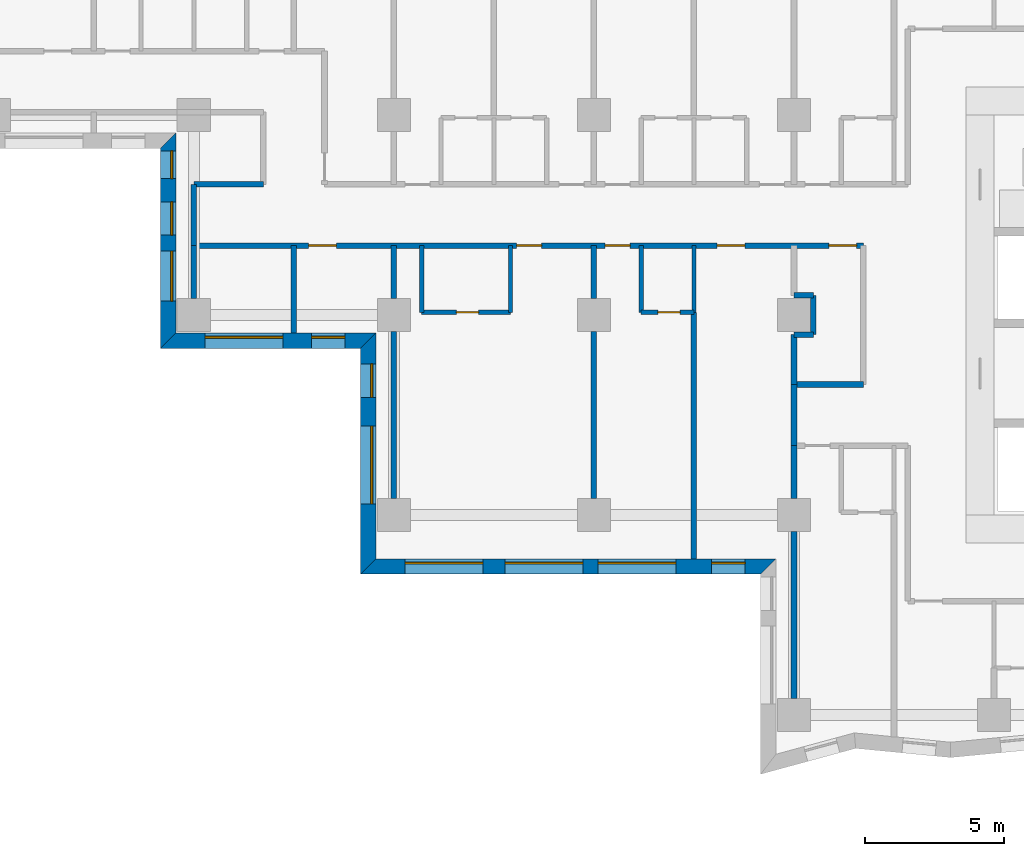
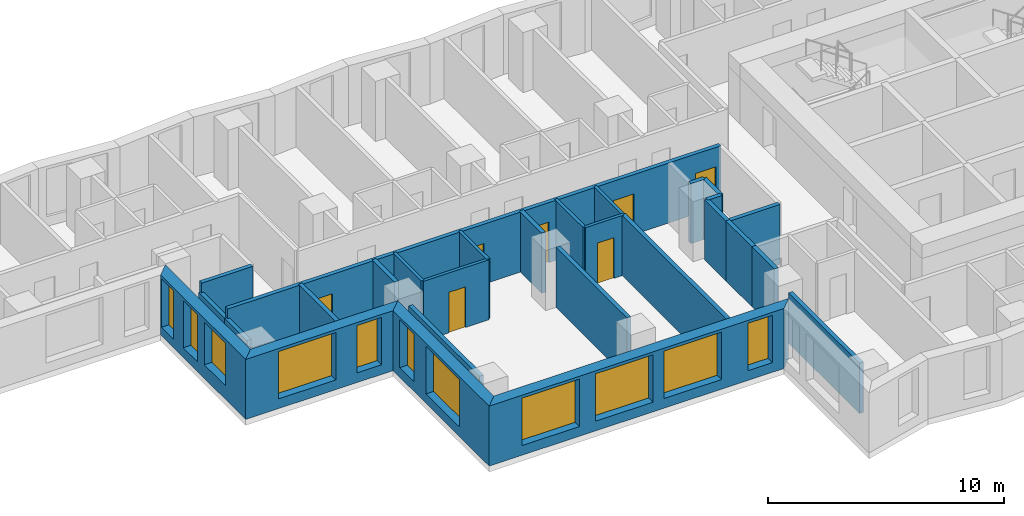
# One storey, part 3 of 13: 28 walls, 11 windows, 7 doors, 18 openings.
"""IFC4 building model written with IfcOpenShell, lengths in metres."""

from ifc_helpers import new_model, si_unit, direction, frame, frame_2d, origin, place, context, subcontext, project, spatial, polyline, rectangle, outline, extrude, material, layer, layer_set, type_object, element, fill, save


model = new_model("IFC4")

# Units and contexts
model_context = context("Model", 3, precision=1e-05, world=origin(), true_north=direction((0.0, 1.0)))
body_context = subcontext(model_context, "Body", "Model", "MODEL_VIEW")
ifc_project = project(units=[si_unit("LENGTHUNIT", "METRE"), si_unit("AREAUNIT", "SQUARE_METRE"), si_unit("VOLUMEUNIT", "CUBIC_METRE"), si_unit("PLANEANGLEUNIT", "RADIAN"), si_unit("MASSUNIT", "GRAM", prefix="KILO")], contexts=[model_context])

# Site, building, storey
site_placement = place(None, origin())
site = spatial("IfcSite", under=ifc_project, at=site_placement, CompositionType="ELEMENT")
building_placement = place(site_placement, origin())
building = spatial("IfcBuilding", under=site, at=building_placement, Name="Windrow Commons", CompositionType="ELEMENT")
storey_placement = place(building_placement, frame((0.0, 0.0, 30.4)))
storey = spatial("IfcBuildingStorey", under=building, at=storey_placement, Name="L07", CompositionType="ELEMENT", Elevation=30.4)

# Wall, openings, windows
ifc_material_1 = material(Name="Brick masonry, red clay brick", Category="masonry")
ifc_layer_1 = layer(ifc_material_1, 0.55)
ifc_layer_set_1 = layer_set([ifc_layer_1], Name="Brick facade wall 550")
wall_type_1 = type_object("IfcWallType", Name="Brick facade wall 550", PredefinedType="SOLIDWALL", material=ifc_layer_set_1)
wall_1_placement = place(storey_placement, frame((27.875, 63.875, 0.0), z_axis=(0.0, 0.0, 1.0), x_axis=(0.0, -1.0, 0.0)))
wall_1 = element("IfcWall", 1, at=wall_1_placement, inside=storey, type_object=wall_type_1, Name="Brick facade wall L07 41", PredefinedType="SOLIDWALL", context=body_context, shape_type="SweptSolid", body=[
    extrude(outline(polyline([(0.275, -0.275), (7.475, -0.275), (6.925, 0.275), (-0.275, 0.275), (0.275, -0.275)])), origin(), (0.0, 0.0, 1.0), 3.1),
])
opening_1_placement = place(wall_1_placement, frame((3.975, 0.0, 0.7)))
opening_1 = element("IfcOpeningElement", 2, at=opening_1_placement, cuts=wall_1, Name="Opening W6", PredefinedType="OPENING", context=body_context, shape_type="SweptSolid", body=[
    extrude(rectangle(XDim=1.8, YDim=2.2, at=frame_2d((0.9, 1.1))), frame((0.0, 0.285, 0.0), z_axis=(0.0, -1.0, 0.0), x_axis=(1.0, 0.0, 0.0)), (0.0, 0.0, 1.0), 0.57),
])
opening_2_placement = place(wall_1_placement, frame((0.3625, 0.0, 0.45)))
opening_2 = element("IfcOpeningElement", 3, at=opening_2_placement, cuts=wall_1, Name="Opening W1S", PredefinedType="OPENING", context=body_context, shape_type="SweptSolid", body=[
    extrude(rectangle(XDim=1.0, YDim=2.5, at=frame_2d((0.5, 1.25))), frame((0.0, 0.285, 0.0), z_axis=(0.0, -1.0, 0.0), x_axis=(1.0, 0.0, 0.0)), (0.0, 0.0, 1.0), 0.57),
])
opening_3_placement = place(wall_1_placement, frame((2.2, 0.0, 0.5)))
opening_3 = element("IfcOpeningElement", 4, at=opening_3_placement, cuts=wall_1, Name="Opening W7D", PredefinedType="OPENING", context=body_context, shape_type="SweptSolid", body=[
    extrude(rectangle(XDim=1.2, YDim=2.45, at=frame_2d((0.6, 1.225))), frame((0.0, 0.285, 0.0), z_axis=(0.0, -1.0, 0.0), x_axis=(1.0, 0.0, 0.0)), (0.0, 0.0, 1.0), 0.57),
])
ifc_material_2 = material(Name="Clear float glass in anodised aluminium frame", Category="aluminium")
window_type_1 = type_object("IfcWindowType", Name="Window W1S slit 1000x2500", PartitioningType="SINGLE_PANEL", PredefinedType="WINDOW", material=ifc_material_2)
window_1_placement = place(opening_2_placement, origin())
window_1 = element("IfcWindow", 5, at=window_1_placement, inside=storey, type_object=window_type_1, Name="Window L07 41.2A", OverallHeight=2.5, OverallWidth=1.0, PartitioningType="SINGLE_PANEL", PredefinedType="WINDOW", context=body_context, shape_type="SweptSolid", body=[
    extrude(rectangle(XDim=1.0, YDim=2.5, at=frame_2d((0.5, 1.25))), frame((0.0, 0.155, 0.0), z_axis=(0.0, -1.0, 0.0), x_axis=(1.0, 0.0, 0.0)), (0.0, 0.0, 1.0), 0.06),
])
fill(opening_2, window_1)
ifc_material_3 = material(Name="Clear float glass in anodised aluminium frame", Category="aluminium")
window_type_2 = type_object("IfcWindowType", Name="Window W6 crown 1800x2200", PartitioningType="SINGLE_PANEL", PredefinedType="WINDOW", material=ifc_material_3)
window_2_placement = place(opening_1_placement, origin())
window_2 = element("IfcWindow", 6, at=window_2_placement, inside=storey, type_object=window_type_2, Name="Window L07 41.1A", OverallHeight=2.2, OverallWidth=1.8, PartitioningType="SINGLE_PANEL", PredefinedType="WINDOW", context=body_context, shape_type="SweptSolid", body=[
    extrude(rectangle(XDim=1.8, YDim=2.2, at=frame_2d((0.9, 1.1))), frame((0.0, 0.155, 0.0), z_axis=(0.0, -1.0, 0.0), x_axis=(1.0, 0.0, 0.0)), (0.0, 0.0, 1.0), 0.06),
])
fill(opening_1, window_2)
ifc_material_4 = material(Name="Clear float glass in anodised aluminium frame", Category="aluminium")
window_type_3 = type_object("IfcWindowType", Name="Window W7 notch 1200x2450", PartitioningType="SINGLE_PANEL", PredefinedType="WINDOW", material=ifc_material_4)
window_3_placement = place(opening_3_placement, origin())
window_3 = element("IfcWindow", 7, at=window_3_placement, inside=storey, type_object=window_type_3, Name="Window L07 41.2B", OverallHeight=2.45, OverallWidth=1.2, PartitioningType="SINGLE_PANEL", PredefinedType="WINDOW", context=body_context, shape_type="SweptSolid", body=[
    extrude(rectangle(XDim=1.2, YDim=2.45, at=frame_2d((0.6, 1.225))), frame((0.0, 0.155, 0.0), z_axis=(0.0, -1.0, 0.0), x_axis=(1.0, 0.0, 0.0)), (0.0, 0.0, 1.0), 0.06),
])
fill(opening_3, window_3)

wall_2_placement = place(storey_placement, frame((27.875, 56.675, 0.0), z_axis=(0.0, 0.0, 1.0), x_axis=(1.0, 0.0, 0.0)))
wall_2 = element("IfcWall", 8, at=wall_2_placement, inside=storey, type_object=wall_type_1, Name="Brick facade wall L07 42", PredefinedType="SOLIDWALL", context=body_context, shape_type="SweptSolid", body=[
    extrude(outline(polyline([(-0.275, -0.275), (6.925, -0.275), (7.475, 0.275), (0.275, 0.275), (-0.275, -0.275)])), origin(), (0.0, 0.0, 1.0), 3.1),
])
opening_4_placement = place(wall_2_placement, frame((1.325, 0.0, 0.5)))
opening_4 = element("IfcOpeningElement", 9, at=opening_4_placement, cuts=wall_2, Name="Opening W1T", PredefinedType="OPENING", context=body_context, shape_type="SweptSolid", body=[
    extrude(rectangle(XDim=2.8, YDim=2.45, at=frame_2d((1.4, 1.225))), frame((0.0, 0.285, 0.0), z_axis=(0.0, -1.0, 0.0), x_axis=(1.0, 0.0, 0.0)), (0.0, 0.0, 1.0), 0.57),
])
opening_5_placement = place(wall_2_placement, frame((5.1625, 0.0, 0.5)))
opening_5 = element("IfcOpeningElement", 10, at=opening_5_placement, cuts=wall_2, Name="Opening W7D", PredefinedType="OPENING", context=body_context, shape_type="SweptSolid", body=[
    extrude(rectangle(XDim=1.2, YDim=2.45, at=frame_2d((0.6, 1.225))), frame((0.0, 0.285, 0.0), z_axis=(0.0, -1.0, 0.0), x_axis=(1.0, 0.0, 0.0)), (0.0, 0.0, 1.0), 0.57),
])
ifc_material_5 = material(Name="Clear float glass in anodised aluminium frame", Category="aluminium")
window_type_4 = type_object("IfcWindowType", Name="Window W1T bedroom 2800x2450", PartitioningType="SINGLE_PANEL", PredefinedType="WINDOW", material=ifc_material_5)
window_4_placement = place(opening_4_placement, origin())
window_4 = element("IfcWindow", 11, at=window_4_placement, inside=storey, type_object=window_type_4, Name="Window L07 42.1", OverallHeight=2.45, OverallWidth=2.8, PartitioningType="SINGLE_PANEL", PredefinedType="WINDOW", context=body_context, shape_type="SweptSolid", body=[
    extrude(rectangle(XDim=2.8, YDim=2.45, at=frame_2d((1.4, 1.225))), frame((0.0, 0.155, 0.0), z_axis=(0.0, -1.0, 0.0), x_axis=(1.0, 0.0, 0.0)), (0.0, 0.0, 1.0), 0.06),
])
fill(opening_4, window_4)
window_5_placement = place(opening_5_placement, origin())
window_5 = element("IfcWindow", 12, at=window_5_placement, inside=storey, type_object=window_type_3, Name="Window L07 42.2", OverallHeight=2.45, OverallWidth=1.2, PartitioningType="SINGLE_PANEL", PredefinedType="WINDOW", context=body_context, shape_type="SweptSolid", body=[
    extrude(rectangle(XDim=1.2, YDim=2.45, at=frame_2d((0.6, 1.225))), frame((0.0, 0.155, 0.0), z_axis=(0.0, -1.0, 0.0), x_axis=(1.0, 0.0, 0.0)), (0.0, 0.0, 1.0), 0.06),
])
fill(opening_5, window_5)

wall_3_placement = place(storey_placement, frame((35.075, 56.675, 0.0), z_axis=(0.0, 0.0, 1.0), x_axis=(0.0, -1.0, 0.0)))
wall_3 = element("IfcWall", 13, at=wall_3_placement, inside=storey, type_object=wall_type_1, Name="Brick facade wall L07 43", PredefinedType="SOLIDWALL", context=body_context, shape_type="SweptSolid", body=[
    extrude(outline(polyline([(0.275, -0.275), (8.405, -0.275), (7.855, 0.275), (-0.275, 0.275), (0.275, -0.275)])), origin(), (0.0, 0.0, 1.0), 3.1),
])
opening_6_placement = place(wall_3_placement, frame((3.075, 0.0, 0.5)))
opening_6 = element("IfcOpeningElement", 14, at=opening_6_placement, cuts=wall_3, Name="Opening W1T", PredefinedType="OPENING", context=body_context, shape_type="SweptSolid", body=[
    extrude(rectangle(XDim=2.8, YDim=2.45, at=frame_2d((1.4, 1.225))), frame((0.0, 0.285, 0.0), z_axis=(0.0, -1.0, 0.0), x_axis=(1.0, 0.0, 0.0)), (0.0, 0.0, 1.0), 0.57),
])
opening_7_placement = place(wall_3_placement, frame((0.8375, 0.0, 0.5)))
opening_7 = element("IfcOpeningElement", 15, at=opening_7_placement, cuts=wall_3, Name="Opening W7D", PredefinedType="OPENING", context=body_context, shape_type="SweptSolid", body=[
    extrude(rectangle(XDim=1.2, YDim=2.45, at=frame_2d((0.6, 1.225))), frame((0.0, 0.285, 0.0), z_axis=(0.0, -1.0, 0.0), x_axis=(1.0, 0.0, 0.0)), (0.0, 0.0, 1.0), 0.57),
])
window_6_placement = place(opening_6_placement, origin())
window_6 = element("IfcWindow", 16, at=window_6_placement, inside=storey, type_object=window_type_4, Name="Window L07 43.1", OverallHeight=2.45, OverallWidth=2.8, PartitioningType="SINGLE_PANEL", PredefinedType="WINDOW", context=body_context, shape_type="SweptSolid", body=[
    extrude(rectangle(XDim=2.8, YDim=2.45, at=frame_2d((1.4, 1.225))), frame((0.0, 0.155, 0.0), z_axis=(0.0, -1.0, 0.0), x_axis=(1.0, 0.0, 0.0)), (0.0, 0.0, 1.0), 0.06),
])
fill(opening_6, window_6)
window_7_placement = place(opening_7_placement, origin())
window_7 = element("IfcWindow", 17, at=window_7_placement, inside=storey, type_object=window_type_3, Name="Window L07 43.2", OverallHeight=2.45, OverallWidth=1.2, PartitioningType="SINGLE_PANEL", PredefinedType="WINDOW", context=body_context, shape_type="SweptSolid", body=[
    extrude(rectangle(XDim=1.2, YDim=2.45, at=frame_2d((0.6, 1.225))), frame((0.0, 0.155, 0.0), z_axis=(0.0, -1.0, 0.0), x_axis=(1.0, 0.0, 0.0)), (0.0, 0.0, 1.0), 0.06),
])
fill(opening_7, window_7)

wall_4_placement = place(storey_placement, frame((35.075, 48.545, 0.0), z_axis=(0.0, 0.0, 1.0), x_axis=(1.0, 0.0, 0.0)))
wall_4 = element("IfcWall", 18, at=wall_4_placement, inside=storey, type_object=wall_type_1, Name="Brick facade wall L07 44", PredefinedType="SOLIDWALL", context=body_context, shape_type="SweptSolid", body=[
    extrude(outline(polyline([(-0.275, -0.275), (14.125, -0.275), (14.675, 0.275), (0.275, 0.275), (-0.275, -0.275)])), origin(), (0.0, 0.0, 1.0), 3.1),
])
opening_8_placement = place(wall_4_placement, frame((1.325, 0.0, 0.5)))
opening_8 = element("IfcOpeningElement", 19, at=opening_8_placement, cuts=wall_4, Name="Opening W1T", PredefinedType="OPENING", context=body_context, shape_type="SweptSolid", body=[
    extrude(rectangle(XDim=2.8, YDim=2.45, at=frame_2d((1.4, 1.225))), frame((0.0, 0.285, 0.0), z_axis=(0.0, -1.0, 0.0), x_axis=(1.0, 0.0, 0.0)), (0.0, 0.0, 1.0), 0.57),
])
opening_9_placement = place(wall_4_placement, frame((4.925, 0.0, 0.5)))
opening_9 = element("IfcOpeningElement", 20, at=opening_9_placement, cuts=wall_4, Name="Opening W1T", PredefinedType="OPENING", context=body_context, shape_type="SweptSolid", body=[
    extrude(rectangle(XDim=2.8, YDim=2.45, at=frame_2d((1.4, 1.225))), frame((0.0, 0.285, 0.0), z_axis=(0.0, -1.0, 0.0), x_axis=(1.0, 0.0, 0.0)), (0.0, 0.0, 1.0), 0.57),
])
opening_10_placement = place(wall_4_placement, frame((8.275, 0.0, 0.5)))
opening_10 = element("IfcOpeningElement", 21, at=opening_10_placement, cuts=wall_4, Name="Opening W1T", PredefinedType="OPENING", context=body_context, shape_type="SweptSolid", body=[
    extrude(rectangle(XDim=2.8, YDim=2.45, at=frame_2d((1.4, 1.225))), frame((0.0, 0.285, 0.0), z_axis=(0.0, -1.0, 0.0), x_axis=(1.0, 0.0, 0.0)), (0.0, 0.0, 1.0), 0.57),
])
opening_11_placement = place(wall_4_placement, frame((12.3625, 0.0, 0.5)))
opening_11 = element("IfcOpeningElement", 22, at=opening_11_placement, cuts=wall_4, Name="Opening W7D", PredefinedType="OPENING", context=body_context, shape_type="SweptSolid", body=[
    extrude(rectangle(XDim=1.2, YDim=2.45, at=frame_2d((0.6, 1.225))), frame((0.0, 0.285, 0.0), z_axis=(0.0, -1.0, 0.0), x_axis=(1.0, 0.0, 0.0)), (0.0, 0.0, 1.0), 0.57),
])
window_8_placement = place(opening_8_placement, origin())
window_8 = element("IfcWindow", 23, at=window_8_placement, inside=storey, type_object=window_type_4, Name="Window L07 44.1", OverallHeight=2.45, OverallWidth=2.8, PartitioningType="SINGLE_PANEL", PredefinedType="WINDOW", context=body_context, shape_type="SweptSolid", body=[
    extrude(rectangle(XDim=2.8, YDim=2.45, at=frame_2d((1.4, 1.225))), frame((0.0, 0.155, 0.0), z_axis=(0.0, -1.0, 0.0), x_axis=(1.0, 0.0, 0.0)), (0.0, 0.0, 1.0), 0.06),
])
fill(opening_8, window_8)
window_9_placement = place(opening_9_placement, origin())
window_9 = element("IfcWindow", 24, at=window_9_placement, inside=storey, type_object=window_type_4, Name="Window L07 44.2", OverallHeight=2.45, OverallWidth=2.8, PartitioningType="SINGLE_PANEL", PredefinedType="WINDOW", context=body_context, shape_type="SweptSolid", body=[
    extrude(rectangle(XDim=2.8, YDim=2.45, at=frame_2d((1.4, 1.225))), frame((0.0, 0.155, 0.0), z_axis=(0.0, -1.0, 0.0), x_axis=(1.0, 0.0, 0.0)), (0.0, 0.0, 1.0), 0.06),
])
fill(opening_9, window_9)
window_10_placement = place(opening_10_placement, origin())
window_10 = element("IfcWindow", 25, at=window_10_placement, inside=storey, type_object=window_type_4, Name="Window L07 44.3", OverallHeight=2.45, OverallWidth=2.8, PartitioningType="SINGLE_PANEL", PredefinedType="WINDOW", context=body_context, shape_type="SweptSolid", body=[
    extrude(rectangle(XDim=2.8, YDim=2.45, at=frame_2d((1.4, 1.225))), frame((0.0, 0.155, 0.0), z_axis=(0.0, -1.0, 0.0), x_axis=(1.0, 0.0, 0.0)), (0.0, 0.0, 1.0), 0.06),
])
fill(opening_10, window_10)
window_11_placement = place(opening_11_placement, origin())
window_11 = element("IfcWindow", 26, at=window_11_placement, inside=storey, type_object=window_type_3, Name="Window L07 44.4", OverallHeight=2.45, OverallWidth=1.2, PartitioningType="SINGLE_PANEL", PredefinedType="WINDOW", context=body_context, shape_type="SweptSolid", body=[
    extrude(rectangle(XDim=1.2, YDim=2.45, at=frame_2d((0.6, 1.225))), frame((0.0, 0.155, 0.0), z_axis=(0.0, -1.0, 0.0), x_axis=(1.0, 0.0, 0.0)), (0.0, 0.0, 1.0), 0.06),
])
fill(opening_11, window_11)

# Wall, openings, doors
ifc_material_6 = material(Name="Blockwork partition", Category="masonry")
ifc_layer_2 = layer(ifc_material_6, 0.2)
ifc_layer_set_2 = layer_set([ifc_layer_2], Name="IW-CORRIDOR-200")
wall_type_2 = type_object("IfcWallType", Name="IW-CORRIDOR-200", PredefinedType="PARTITIONING", material=ifc_layer_set_2)
wall_5_placement = place(storey_placement, frame((28.8, 60.1, 0.0), z_axis=(0.0, 0.0, 1.0), x_axis=(1.0, 0.0, 0.0)))
wall_5 = element("IfcWall", 27, at=wall_5_placement, inside=storey, type_object=wall_type_2, Name="W-L07-W000", PredefinedType="PARTITIONING", context=body_context, shape_type="SweptSolid", body=[
    extrude(rectangle(XDim=24.1, YDim=0.2, at=frame_2d((12.05, 0.0))), origin(), (0.0, 0.0, 1.0), 3.1),
])
opening_12_placement = place(wall_5_placement, frame((4.125, 0.0, 0.0)))
opening_12 = element("IfcOpeningElement", 28, at=opening_12_placement, cuts=wall_5, Name="Opening D310F", PredefinedType="OPENING", context=body_context, shape_type="SweptSolid", body=[
    extrude(rectangle(XDim=1.0, YDim=2.1, at=frame_2d((0.5, 1.05))), frame((0.0, 0.11, 0.0), z_axis=(0.0, -1.0, 0.0), x_axis=(1.0, 0.0, 0.0)), (0.0, 0.0, 1.0), 0.22),
])
opening_13_placement = place(wall_5_placement, frame((11.62, 0.0, 0.0)))
opening_13 = element("IfcOpeningElement", 29, at=opening_13_placement, cuts=wall_5, Name="Opening D109F", PredefinedType="OPENING", context=body_context, shape_type="SweptSolid", body=[
    extrude(rectangle(XDim=0.9, YDim=2.1, at=frame_2d((0.45, 1.05))), frame((0.0, 0.11, 0.0), z_axis=(0.0, -1.0, 0.0), x_axis=(1.0, 0.0, 0.0)), (0.0, 0.0, 1.0), 0.22),
])
opening_14_placement = place(wall_5_placement, frame((14.8, 0.0, 0.0)))
opening_14 = element("IfcOpeningElement", 30, at=opening_14_placement, cuts=wall_5, Name="Opening D109S", PredefinedType="OPENING", context=body_context, shape_type="SweptSolid", body=[
    extrude(rectangle(XDim=0.9, YDim=2.1, at=frame_2d((0.45, 1.05))), frame((0.0, 0.11, 0.0), z_axis=(0.0, -1.0, 0.0), x_axis=(1.0, 0.0, 0.0)), (0.0, 0.0, 1.0), 0.22),
])
opening_15_placement = place(wall_5_placement, frame((18.835, 0.0, 0.0)))
opening_15 = element("IfcOpeningElement", 31, at=opening_15_placement, cuts=wall_5, Name="Opening D310F", PredefinedType="OPENING", context=body_context, shape_type="SweptSolid", body=[
    extrude(rectangle(XDim=1.0, YDim=2.1, at=frame_2d((0.5, 1.05))), frame((0.0, 0.11, 0.0), z_axis=(0.0, -1.0, 0.0), x_axis=(1.0, 0.0, 0.0)), (0.0, 0.0, 1.0), 0.22),
])
opening_16_placement = place(wall_5_placement, frame((22.8544, 0.0, 0.0)))
opening_16 = element("IfcOpeningElement", 32, at=opening_16_placement, cuts=wall_5, Name="Opening D410F", PredefinedType="OPENING", context=body_context, shape_type="SweptSolid", body=[
    extrude(rectangle(XDim=1.0, YDim=2.1, at=frame_2d((0.5, 1.05))), frame((0.0, 0.11, 0.0), z_axis=(0.0, -1.0, 0.0), x_axis=(1.0, 0.0, 0.0)), (0.0, 0.0, 1.0), 0.22),
])
ifc_material_7 = material(Name="Timber door leaf", Category="wood")
door_type_1 = type_object("IfcDoorType", Name="DT-AMENITY-1000", OperationType="SINGLE_SWING_LEFT", PredefinedType="DOOR", material=ifc_material_7)
door_1_placement = place(opening_12_placement, origin())
door_1 = element("IfcDoor", 33, at=door_1_placement, inside=storey, type_object=door_type_1, Name="D-L07-D008", OperationType="SINGLE_SWING_RIGHT", OverallHeight=2.1, OverallWidth=1.0, PredefinedType="DOOR", context=body_context, shape_type="SweptSolid", body=[
    extrude(rectangle(XDim=1.0, YDim=2.1, at=frame_2d((0.5, 1.05))), frame((0.0, 0.025, 0.0), z_axis=(0.0, -1.0, 0.0), x_axis=(1.0, 0.0, 0.0)), (0.0, 0.0, 1.0), 0.05),
])
fill(opening_12, door_1)
door_2_placement = place(opening_15_placement, origin())
door_2 = element("IfcDoor", 34, at=door_2_placement, inside=storey, type_object=door_type_1, Name="D-L07-D026", OperationType="SINGLE_SWING_RIGHT", OverallHeight=2.1, OverallWidth=1.0, PredefinedType="DOOR", context=body_context, shape_type="SweptSolid", body=[
    extrude(rectangle(XDim=1.0, YDim=2.1, at=frame_2d((0.5, 1.05))), frame((0.0, 0.025, 0.0), z_axis=(0.0, -1.0, 0.0), x_axis=(1.0, 0.0, 0.0)), (0.0, 0.0, 1.0), 0.05),
])
fill(opening_15, door_2)
ifc_material_8 = material(Name="Timber door leaf", Category="wood")
door_type_2 = type_object("IfcDoorType", Name="DT-BEDROOM-900", OperationType="SINGLE_SWING_LEFT", PredefinedType="DOOR", material=ifc_material_8)
door_3_placement = place(opening_13_placement, origin())
door_3 = element("IfcDoor", 35, at=door_3_placement, inside=storey, type_object=door_type_2, Name="D-L07-D009", OperationType="SINGLE_SWING_LEFT", OverallHeight=2.1, OverallWidth=0.9, PredefinedType="DOOR", context=body_context, shape_type="SweptSolid", body=[
    extrude(rectangle(XDim=0.9, YDim=2.1, at=frame_2d((0.45, 1.05))), frame((0.0, 0.025, 0.0), z_axis=(0.0, -1.0, 0.0), x_axis=(1.0, 0.0, 0.0)), (0.0, 0.0, 1.0), 0.05),
])
fill(opening_13, door_3)
door_4_placement = place(opening_14_placement, origin())
door_4 = element("IfcDoor", 36, at=door_4_placement, inside=storey, type_object=door_type_2, Name="D-L07-D011", OperationType="SINGLE_SWING_LEFT", OverallHeight=2.1, OverallWidth=0.9, PredefinedType="DOOR", context=body_context, shape_type="SweptSolid", body=[
    extrude(rectangle(XDim=0.9, YDim=2.1, at=frame_2d((0.45, 1.05))), frame((0.0, 0.025, 0.0), z_axis=(0.0, -1.0, 0.0), x_axis=(1.0, 0.0, 0.0)), (0.0, 0.0, 1.0), 0.05),
])
fill(opening_14, door_4)
ifc_material_9 = material(Name="Timber door leaf", Category="wood")
door_type_3 = type_object("IfcDoorType", Name="DT-SERVICE-1000", OperationType="SINGLE_SWING_LEFT", PredefinedType="DOOR", material=ifc_material_9)
door_5_placement = place(opening_16_placement, origin())
door_5 = element("IfcDoor", 37, at=door_5_placement, inside=storey, type_object=door_type_3, Name="D-L07-D027", OperationType="SINGLE_SWING_LEFT", OverallHeight=2.1, OverallWidth=1.0, PredefinedType="DOOR", context=body_context, shape_type="SweptSolid", body=[
    extrude(rectangle(XDim=1.0, YDim=2.1, at=frame_2d((0.5, 1.05))), frame((0.0, 0.025, 0.0), z_axis=(0.0, -1.0, 0.0), x_axis=(1.0, 0.0, 0.0)), (0.0, 0.0, 1.0), 0.05),
])
fill(opening_16, door_5)

# Walls
wall_6_placement = place(storey_placement, frame((50.4, 55.1, 0.0), z_axis=(0.0, 0.0, 1.0), x_axis=(1.0, 0.0, 0.0)))
element("IfcWall", 38, at=wall_6_placement, inside=storey, type_object=wall_type_2, Name="W-L07-W075", PredefinedType="PARTITIONING", context=body_context, shape_type="SweptSolid", body=[
    extrude(rectangle(XDim=2.5, YDim=0.2, at=frame_2d((1.25, 0.0))), origin(), (0.0, 0.0, 1.0), 3.1),
])
wall_7_placement = place(storey_placement, frame((28.802, 62.3, 0.0), z_axis=(0.0, 0.0, 1.0), x_axis=(1.0, 0.0, 0.0)))
element("IfcWall", 39, at=wall_7_placement, inside=storey, type_object=wall_type_2, Name="W-L07-W076", PredefinedType="PARTITIONING", context=body_context, shape_type="SweptSolid", body=[
    extrude(rectangle(XDim=2.498, YDim=0.2, at=frame_2d((1.249, 0.0))), origin(), (0.0, 0.0, 1.0), 3.1),
])
wall_8_placement = place(storey_placement, frame((50.4, 52.9, 0.0), z_axis=(0.0, 0.0, 1.0), x_axis=(0.0, 1.0, 0.0)))
element("IfcWall", 40, at=wall_8_placement, inside=storey, type_object=wall_type_2, Name="W-L07-W128", PredefinedType="PARTITIONING", context=body_context, shape_type="SweptSolid", body=[
    extrude(rectangle(XDim=2.2, YDim=0.2, at=frame_2d((1.1, 0.0))), origin(), (0.0, 0.0, 1.0), 3.1),
])
wall_9_placement = place(storey_placement, frame((28.8, 60.1, 0.0), z_axis=(0.0, 0.0, 1.0), x_axis=(0.0, 1.0, 0.0)))
element("IfcWall", 41, at=wall_9_placement, inside=storey, type_object=wall_type_2, Name="W-L07-W129", PredefinedType="PARTITIONING", context=body_context, shape_type="SweptSolid", body=[
    extrude(rectangle(XDim=2.2, YDim=0.2, at=frame_2d((1.1, 0.0))), origin(), (0.0, 0.0, 1.0), 2.6),
])

# Wall, opening, door
ifc_material_10 = material(Name="Blockwork partition", Category="masonry")
ifc_layer_3 = layer(ifc_material_10, 0.15)
ifc_layer_set_3 = layer_set([ifc_layer_3], Name="IW-ENSUITE-150")
wall_type_3 = type_object("IfcWallType", Name="IW-ENSUITE-150", PredefinedType="PARTITIONING", material=ifc_layer_set_3)
wall_10_placement = place(storey_placement, frame((37.0, 57.7, 0.0), z_axis=(0.0, 0.0, 1.0), x_axis=(1.0, 0.0, 0.0)))
wall_10 = element("IfcWall", 42, at=wall_10_placement, inside=storey, type_object=wall_type_3, Name="W-L07-W067", PredefinedType="PARTITIONING", context=body_context, shape_type="SweptSolid", body=[
    extrude(rectangle(XDim=3.2, YDim=0.15, at=frame_2d((1.6, 0.0))), origin(), (0.0, 0.0, 1.0), 3.1),
])
opening_17_placement = place(wall_10_placement, frame((1.246, 0.0, 0.0)))
opening_17 = element("IfcOpeningElement", 43, at=opening_17_placement, cuts=wall_10, Name="Opening D208N", PredefinedType="OPENING", context=body_context, shape_type="SweptSolid", body=[
    extrude(rectangle(XDim=0.8, YDim=2.1, at=frame_2d((0.4, 1.05))), frame((0.0, 0.085, 0.0), z_axis=(0.0, -1.0, 0.0), x_axis=(1.0, 0.0, 0.0)), (0.0, 0.0, 1.0), 0.17),
])
ifc_material_11 = material(Name="Timber door leaf", Category="wood")
door_type_4 = type_object("IfcDoorType", Name="DT-ENSUITE-800", OperationType="SINGLE_SWING_LEFT", PredefinedType="DOOR", material=ifc_material_11)
door_6_placement = place(opening_17_placement, origin())
door_6 = element("IfcDoor", 44, at=door_6_placement, inside=storey, type_object=door_type_4, Name="D-L07-D010", OperationType="SINGLE_SWING_RIGHT", OverallHeight=2.1, OverallWidth=0.8, PredefinedType="DOOR", context=body_context, shape_type="SweptSolid", body=[
    extrude(rectangle(XDim=0.8, YDim=2.1, at=frame_2d((0.4, 1.05))), frame((0.0, 0.025, 0.0), z_axis=(0.0, -1.0, 0.0), x_axis=(1.0, 0.0, 0.0)), (0.0, 0.0, 1.0), 0.05),
])
fill(opening_17, door_6)

# Walls
for number, where, z_axis, x_axis, name in (
    (45, (40.2, 57.7, 0.0), (0.0, 0.0, 1.0), (0.0, 1.0, 0.0), "W-L07-W095"),
    (46, (37.0, 57.7, 0.0), (0.0, 0.0, 1.0), (0.0, 1.0, 0.0), "W-L07-W096"),
    (47, (44.9, 57.7, 0.0), (0.0, 0.0, 1.0), (0.0, 1.0, 0.0), "W-L07-W097"),
    (48, (46.8, 57.7, 0.0), (0.0, 0.0, 1.0), (0.0, 1.0, 0.0), "W-L07-W098"),
):
    element("IfcWall", number, at=place(storey_placement, frame(where, z_axis=z_axis, x_axis=x_axis)), inside=storey, type_object=wall_type_3, Name=name, PredefinedType="PARTITIONING", context=body_context, shape_type="SweptSolid", body=[
        extrude(rectangle(XDim=2.4, YDim=0.15, at=frame_2d((1.2, 0.0))), origin(), (0.0, 0.0, 1.0), 3.1),
    ])

# Wall, opening, door
wall_11_placement = place(storey_placement, frame((44.9, 57.7, 0.0), z_axis=(0.0, 0.0, 1.0), x_axis=(1.0, 0.0, 0.0)))
wall_11 = element("IfcWall", 49, at=wall_11_placement, inside=storey, type_object=wall_type_3, Name="W-L07-W148", PredefinedType="PARTITIONING", context=body_context, shape_type="SweptSolid", body=[
    extrude(rectangle(XDim=1.9, YDim=0.15, at=frame_2d((0.95, 0.0))), origin(), (0.0, 0.0, 1.0), 3.1),
])
opening_18_placement = place(wall_11_placement, frame((0.5979, 0.0, 0.0)))
opening_18 = element("IfcOpeningElement", 50, at=opening_18_placement, cuts=wall_11, Name="Opening D208N", PredefinedType="OPENING", context=body_context, shape_type="SweptSolid", body=[
    extrude(rectangle(XDim=0.8, YDim=2.1, at=frame_2d((0.4, 1.05))), frame((0.0, 0.085, 0.0), z_axis=(0.0, -1.0, 0.0), x_axis=(1.0, 0.0, 0.0)), (0.0, 0.0, 1.0), 0.17),
])
door_7_placement = place(opening_18_placement, origin())
door_7 = element("IfcDoor", 51, at=door_7_placement, inside=storey, type_object=door_type_4, Name="D-L07-D012", OperationType="SINGLE_SWING_RIGHT", OverallHeight=2.1, OverallWidth=0.8, PredefinedType="DOOR", context=body_context, shape_type="SweptSolid", body=[
    extrude(rectangle(XDim=0.8, YDim=2.1, at=frame_2d((0.4, 1.05))), frame((0.0, 0.025, 0.0), z_axis=(0.0, -1.0, 0.0), x_axis=(1.0, 0.0, 0.0)), (0.0, 0.0, 1.0), 0.05),
])
fill(opening_18, door_7)

# Walls
ifc_material_12 = material(Name="Blockwork partition", Category="masonry")
ifc_layer_4 = layer(ifc_material_12, 0.2)
ifc_layer_set_4 = layer_set([ifc_layer_4], Name="IW-PARTY-200")
wall_type_4 = type_object("IfcWallType", Name="IW-PARTY-200", PredefinedType="PARTITIONING", material=ifc_layer_set_4)
wall_12_placement = place(storey_placement, frame((46.8, 48.82, 0.0), z_axis=(0.0, 0.0, 1.0), x_axis=(0.0, 1.0, 0.0)))
element("IfcWall", 52, at=wall_12_placement, inside=storey, type_object=wall_type_4, Name="W-L07-W011", PredefinedType="PARTITIONING", context=body_context, shape_type="SweptSolid", body=[
    extrude(rectangle(XDim=8.88, YDim=0.2, at=frame_2d((4.44, 0.0))), origin(), (0.0, 0.0, 1.0), 3.1),
])
wall_13_placement = place(storey_placement, frame((36.0, 51.0, 0.0), z_axis=(0.0, 0.0, 1.0), x_axis=(0.0, 1.0, 0.0)))
element("IfcWall", 53, at=wall_13_placement, inside=storey, type_object=wall_type_4, Name="W-L07-W029", PredefinedType="PARTITIONING", context=body_context, shape_type="SweptSolid", body=[
    extrude(rectangle(XDim=6.0, YDim=0.2, at=frame_2d((3.0, 0.0))), origin(), (0.0, 0.0, 1.0), 2.6),
])
wall_14_placement = place(storey_placement, frame((43.2, 51.0, 0.0), z_axis=(0.0, 0.0, 1.0), x_axis=(0.0, 1.0, 0.0)))
element("IfcWall", 54, at=wall_14_placement, inside=storey, type_object=wall_type_4, Name="W-L07-W031", PredefinedType="PARTITIONING", context=body_context, shape_type="SweptSolid", body=[
    extrude(rectangle(XDim=6.0, YDim=0.2, at=frame_2d((3.0, 0.0))), origin(), (0.0, 0.0, 1.0), 3.1),
])
wall_15_placement = place(storey_placement, frame((50.4, 43.8, 0.0), z_axis=(0.0, 0.0, 1.0), x_axis=(0.0, 1.0, 0.0)))
element("IfcWall", 55, at=wall_15_placement, inside=storey, type_object=wall_type_4, Name="W-L07-W033", PredefinedType="PARTITIONING", context=body_context, shape_type="SweptSolid", body=[
    extrude(rectangle(XDim=6.0, YDim=0.2, at=frame_2d((3.0, 0.0))), origin(), (0.0, 0.0, 1.0), 2.6),
])
wall_16_placement = place(storey_placement, frame((32.4, 56.95, 0.0), z_axis=(0.0, 0.0, 1.0), x_axis=(0.0, 1.0, 0.0)))
element("IfcWall", 56, at=wall_16_placement, inside=storey, type_object=wall_type_4, Name="W-L07-W070", PredefinedType="PARTITIONING", context=body_context, shape_type="SweptSolid", body=[
    extrude(rectangle(XDim=3.15, YDim=0.2, at=frame_2d((1.575, 0.0))), origin(), (0.0, 0.0, 1.0), 3.1),
])
wall_17_placement = place(storey_placement, frame((28.8, 58.2, 0.0), z_axis=(0.0, 0.0, 1.0), x_axis=(0.0, 1.0, 0.0)))
element("IfcWall", 57, at=wall_17_placement, inside=storey, type_object=wall_type_4, Name="W-L07-W146", PredefinedType="PARTITIONING", context=body_context, shape_type="SweptSolid", body=[
    extrude(rectangle(XDim=1.9, YDim=0.2, at=frame_2d((0.95, 0.0))), origin(), (0.0, 0.0, 1.0), 2.6),
])
for number, where, z_axis, x_axis, name in (
    (58, (36.0, 58.2, 0.0), (0.0, 0.0, 1.0), (0.0, 1.0, 0.0), "W-L07-W147"),
    (59, (43.2, 58.2, 0.0), (0.0, 0.0, 1.0), (0.0, 1.0, 0.0), "W-L07-W150"),
    (60, (50.4, 51.0, 0.0), (0.0, 0.0, 1.0), (0.0, 1.0, 0.0), "W-L07-W151"),
):
    element("IfcWall", number, at=place(storey_placement, frame(where, z_axis=z_axis, x_axis=x_axis)), inside=storey, type_object=wall_type_4, Name=name, PredefinedType="PARTITIONING", context=body_context, shape_type="SweptSolid", body=[
        extrude(rectangle(XDim=1.9, YDim=0.2, at=frame_2d((0.95, 0.0))), origin(), (0.0, 0.0, 1.0), 3.1),
    ])
wall_18_placement = place(storey_placement, frame((50.4, 55.1, 0.0), z_axis=(0.0, 0.0, 1.0), x_axis=(0.0, 1.0, 0.0)))
element("IfcWall", 61, at=wall_18_placement, inside=storey, type_object=wall_type_4, Name="W-L07-W161", PredefinedType="PARTITIONING", context=body_context, shape_type="SweptSolid", body=[
    extrude(rectangle(XDim=1.794, YDim=0.2, at=frame_2d((0.897, 0.0))), origin(), (0.0, 0.0, 1.0), 3.1),
])
wall_19_placement = place(storey_placement, frame((51.1, 56.894, 0.0), z_axis=(0.0, 0.0, 1.0), x_axis=(0.0, 1.0, 0.0)))
element("IfcWall", 62, at=wall_19_placement, inside=storey, type_object=wall_type_4, Name="W-L07-W173", PredefinedType="PARTITIONING", context=body_context, shape_type="SweptSolid", body=[
    extrude(rectangle(XDim=1.412, YDim=0.2, at=frame_2d((0.706, 0.0))), origin(), (0.0, 0.0, 1.0), 3.1),
])
for number, where, z_axis, x_axis, name in (
    (63, (50.4, 58.31, 0.0), (0.0, 0.0, 1.0), (1.0, 0.0, 0.0), "W-L07-W192"),
    (64, (50.4, 56.89, 0.0), (0.0, 0.0, 1.0), (1.0, 0.0, 0.0), "W-L07-W193"),
):
    element("IfcWall", number, at=place(storey_placement, frame(where, z_axis=z_axis, x_axis=x_axis)), inside=storey, type_object=wall_type_4, Name=name, PredefinedType="PARTITIONING", context=body_context, shape_type="SweptSolid", body=[
        extrude(rectangle(XDim=0.7, YDim=0.2, at=frame_2d((0.35, 0.0))), origin(), (0.0, 0.0, 1.0), 3.1),
    ])

save(model, "model.ifc")
